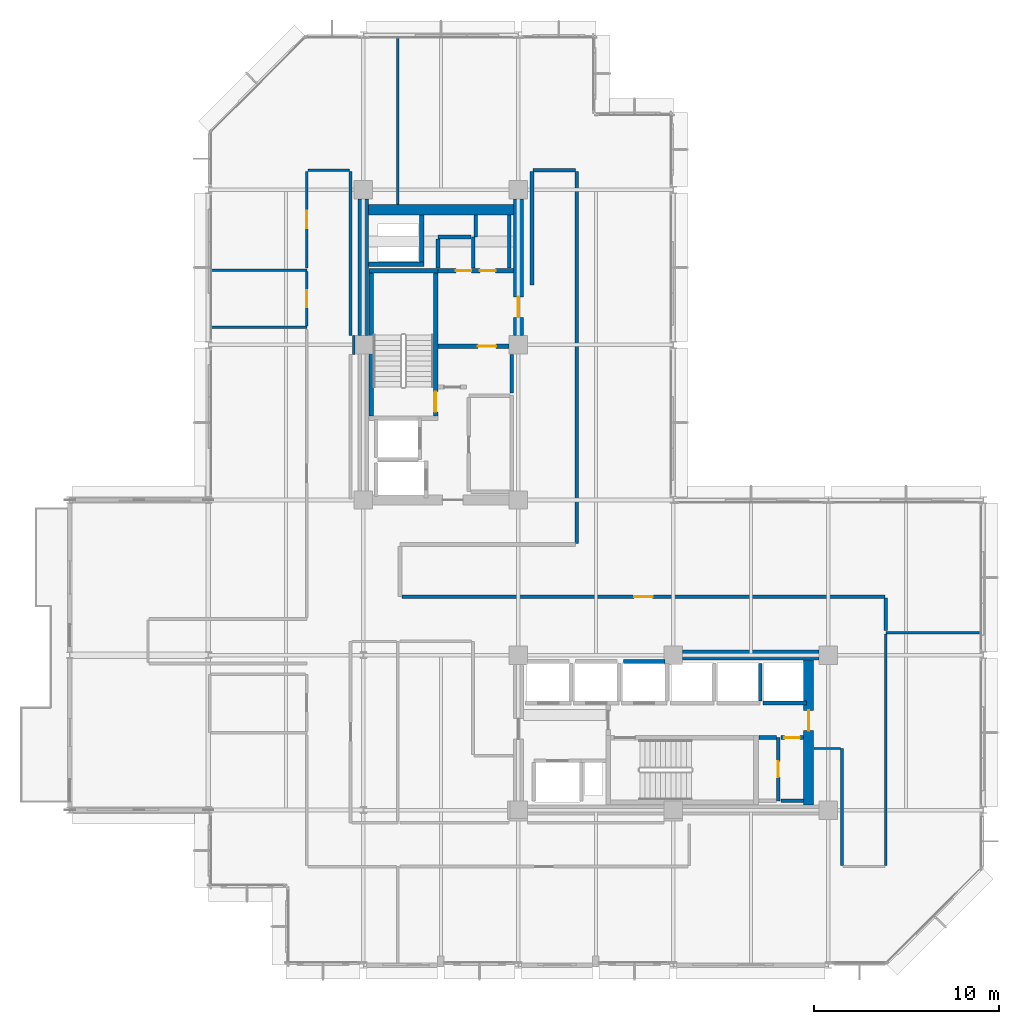
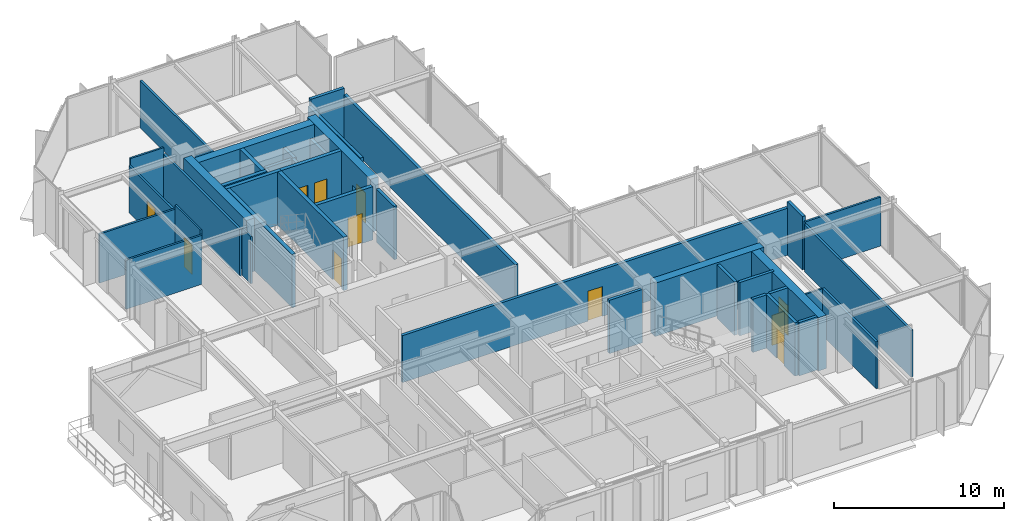
# One storey, part 26 of 30: 42 walls, 11 doors, 11 openings.
"""IFC4 building model written with IfcOpenShell, lengths in metres."""

from ifc_helpers import new_model, si_unit, direction, frame, frame_2d, origin, place, context, subcontext, project, spatial, rectangle, extrude, material, layer, layer_set, type_object, element, fill, save


model = new_model("IFC4")

# Units and contexts
model_context = context("Model", 3, precision=1e-05, world=origin(), true_north=direction((0.0, 1.0)))
body_context = subcontext(model_context, "Body", "Model", "MODEL_VIEW")
ifc_project = project(units=[si_unit("LENGTHUNIT", "METRE"), si_unit("AREAUNIT", "SQUARE_METRE"), si_unit("VOLUMEUNIT", "CUBIC_METRE"), si_unit("PLANEANGLEUNIT", "RADIAN"), si_unit("MASSUNIT", "GRAM", prefix="KILO")], contexts=[model_context])

# Site, building, storey
site_placement = place(None, origin())
site = spatial("IfcSite", under=ifc_project, at=site_placement, CompositionType="ELEMENT")
building_placement = place(site_placement, origin())
building = spatial("IfcBuilding", under=site, at=building_placement, Name="Nerrivon Quay Data Exchange", CompositionType="ELEMENT")
storey_placement = place(building_placement, frame((0.0, 0.0, 171.39990234375)))
storey = spatial("IfcBuildingStorey", under=building, at=storey_placement, Name="L40", CompositionType="ELEMENT", Elevation=171.39990234375)

# Walls
ifc_material_1 = material(Name="Concrete S65 (65 MPa)", Category="concrete")
ifc_layer_1 = layer(ifc_material_1, 0.550048828125)
ifc_layer_set_1 = layer_set([ifc_layer_1], Name="Concrete S65 (65 MPa)")
wall_type_1 = type_object("IfcWallType", Name="WALL-CW-700", PredefinedType="SHEAR", material=ifc_layer_set_1)
wall_1_placement = place(storey_placement, frame((8.39990234375, 34.10009765625, 0.0), z_axis=(0.0, 0.0, 1.0), x_axis=(0.0, 1.0, 0.0)))
element("IfcWall", 1, at=wall_1_placement, inside=storey, type_object=wall_type_1, Name="L40 West Split-Core Shear Wall WCW-W2", PredefinedType="SHEAR", context=body_context, shape_type="SweptSolid", body=[
    extrude(rectangle(XDim=7.39990234375, YDim=0.550048828125, at=frame_2d((3.699951171875, 0.0))), origin(), (0.0, 0.0, 1.0), 3.8251953125),
])
wall_2_placement = place(storey_placement, frame((8.675048828125, 40.925048828125, 0.0), z_axis=(0.0, 0.0, 1.0), x_axis=(1.0, 0.0, 0.0)))
element("IfcWall", 2, at=wall_2_placement, inside=storey, type_object=wall_type_1, Name="L40 West Split-Core Shear Wall WCW-N1", PredefinedType="SHEAR", context=body_context, shape_type="SweptSolid", body=[
    extrude(rectangle(XDim=7.849853515625, YDim=0.550048828125, at=frame_2d((3.9248046875, 0.0))), origin(), (0.0, 0.0, 1.0), 3.8251953125),
])

# Wall, opening, door
wall_3_placement = place(storey_placement, frame((16.800048828125, 34.10009765625, 0.0), z_axis=(0.0, 0.0, 1.0), x_axis=(0.0, 1.0, 0.0)))
wall_3 = element("IfcWall", 3, at=wall_3_placement, inside=storey, type_object=wall_type_1, Name="L40 West Split-Core Shear Wall WCW-E1", PredefinedType="SHEAR", context=body_context, shape_type="SweptSolid", body=[
    extrude(rectangle(XDim=7.39990234375, YDim=0.550048828125, at=frame_2d((3.699951171875, 0.0))), origin(), (0.0, 0.0, 1.0), 3.8251953125),
])
opening_1_placement = place(wall_3_placement, frame((1.0, 0.0, 0.0)))
opening_1 = element("IfcOpeningElement", 4, at=opening_1_placement, cuts=wall_3, Name="Opening FD-120", PredefinedType="OPENING", context=body_context, shape_type="SweptSolid", body=[
    extrude(rectangle(XDim=1.10009765625, YDim=2.14990234375, at=frame_2d((0.550048828125, 1.074951171875))), frame((0.0, 0.284912109375, 0.0), z_axis=(0.0, -1.0, 0.0), x_axis=(1.0, 0.0, 0.0)), (0.0, 0.0, 1.0), 0.570068359375),
])
ifc_material_2 = material(Name="Powder-coated galvanized steel sheet", Category="steel")
door_type_1 = type_object("IfcDoorType", Name="DR-FD120-1100", OperationType="NOTDEFINED", PredefinedType="DOOR", material=ifc_material_2)
door_1_placement = place(opening_1_placement, origin())
door_1 = element("IfcDoor", 5, at=door_1_placement, inside=storey, type_object=door_type_1, Name="L40 West Core Lobby Fire Door", OperationType="SINGLE_SWING_RIGHT", OverallHeight=2.14990234375, OverallWidth=1.10009765625, PredefinedType="DOOR", context=body_context, shape_type="SweptSolid", body=[
    extrude(rectangle(XDim=1.10009765625, YDim=2.14990234375, at=frame_2d((0.550048828125, 1.074951171875))), frame((0.0, 0.02490234375, 0.0), z_axis=(0.0, -1.0, 0.0), x_axis=(1.0, 0.0, 0.0)), (0.0, 0.0, 1.0), 0.050048828125),
])
fill(opening_1, door_1)

wall_4_placement = place(storey_placement, frame((32.52490234375, 8.675048828125, 0.0), z_axis=(0.0, 0.0, 1.0), x_axis=(0.0, 1.0, 0.0)))
wall_4 = element("IfcWall", 6, at=wall_4_placement, inside=storey, type_object=wall_type_1, Name="L40 East Split-Core Shear Wall ECW-E1", PredefinedType="SHEAR", context=body_context, shape_type="SweptSolid", body=[
    extrude(rectangle(XDim=7.849853515625, YDim=0.550048828125, at=frame_2d((3.9248046875, 0.0))), origin(), (0.0, 0.0, 1.0), 3.8251953125),
])
opening_2_placement = place(wall_4_placement, frame((4.02490234375, 0.0, 0.0)))
opening_2 = element("IfcOpeningElement", 7, at=opening_2_placement, cuts=wall_4, Name="Opening FD-120", PredefinedType="OPENING", context=body_context, shape_type="SweptSolid", body=[
    extrude(rectangle(XDim=1.10009765625, YDim=2.14990234375, at=frame_2d((0.550048828125, 1.074951171875))), frame((0.0, 0.284912109375, 0.0), z_axis=(0.0, -1.0, 0.0), x_axis=(1.0, 0.0, 0.0)), (0.0, 0.0, 1.0), 0.570068359375),
])
door_2_placement = place(opening_2_placement, origin())
door_2 = element("IfcDoor", 8, at=door_2_placement, inside=storey, type_object=door_type_1, Name="L40 East Core Lobby Fire Door", OperationType="SINGLE_SWING_RIGHT", OverallHeight=2.14990234375, OverallWidth=1.10009765625, PredefinedType="DOOR", context=body_context, shape_type="SweptSolid", body=[
    extrude(rectangle(XDim=1.10009765625, YDim=2.14990234375, at=frame_2d((0.550048828125, 1.074951171875))), frame((0.0, 0.02490234375, 0.0), z_axis=(0.0, -1.0, 0.0), x_axis=(1.0, 0.0, 0.0)), (0.0, 0.0, 1.0), 0.050048828125),
])
fill(opening_2, door_2)

# Walls
wall_5_placement = place(storey_placement, frame((25.699951171875, 16.800048828125, 0.0), z_axis=(0.0, 0.0, 1.0), x_axis=(1.0, 0.0, 0.0)))
element("IfcWall", 9, at=wall_5_placement, inside=storey, type_object=wall_type_1, Name="L40 East Split-Core Shear Wall ECW-N1", PredefinedType="SHEAR", context=body_context, shape_type="SweptSolid", body=[
    extrude(rectangle(XDim=7.400146484375, YDim=0.550048828125, at=frame_2d((3.7001953125, 0.0))), origin(), (0.0, 0.0, 1.0), 3.8251953125),
])
ifc_material_3 = material(Name="Gypsum plasterboard on cold-formed framing", Category="gypsum")
ifc_layer_2 = layer(ifc_material_3, 0.199951171875)
ifc_layer_set_2 = layer_set([ifc_layer_2], Name="Gypsum plasterboard on cold-formed framing")
wall_type_2 = type_object("IfcWallType", Name="WALL-FW-200", PredefinedType="PARTITIONING", material=ifc_layer_set_2)
wall_6_placement = place(storey_placement, frame((22.5, 16.449951171875, 0.0), z_axis=(0.0, 0.0, 1.0), x_axis=(1.0, 0.0, 0.0)))
element("IfcWall", 10, at=wall_6_placement, inside=storey, type_object=wall_type_2, Name="L40 Lift Shaft Wall PL6 NORTH", PredefinedType="PARTITIONING", context=body_context, shape_type="SweptSolid", body=[
    extrude(rectangle(XDim=2.25, YDim=0.199951171875, at=frame_2d((1.125, 0.0))), origin(), (0.0, 0.0, 1.0), 3.8251953125),
])
wall_7_placement = place(storey_placement, frame((29.89990234375, 14.300048828125, 0.0), z_axis=(0.0, 0.0, 1.0), x_axis=(0.0, 1.0, 0.0)))
element("IfcWall", 11, at=wall_7_placement, inside=storey, type_object=wall_type_2, Name="L40 Lift Shaft Wall PL8 EAST", PredefinedType="PARTITIONING", context=body_context, shape_type="SweptSolid", body=[
    extrude(rectangle(XDim=2.050048828125, YDim=0.199951171875, at=frame_2d((1.02490234375, 0.0))), origin(), (0.0, 0.0, 1.0), 3.8251953125),
])
wall_8_placement = place(storey_placement, frame((30.050048828125, 14.199951171875, 0.0), z_axis=(0.0, 0.0, 1.0), x_axis=(1.0, 0.0, 0.0)))
element("IfcWall", 12, at=wall_8_placement, inside=storey, type_object=wall_type_2, Name="L40 Lift Front Wall PL9", PredefinedType="PARTITIONING", context=body_context, shape_type="SweptSolid", body=[
    extrude(rectangle(XDim=2.349853515625, YDim=0.199951171875, at=frame_2d((1.1748046875, 0.0))), origin(), (0.0, 0.0, 1.0), 3.8251953125),
])
wall_9_placement = place(storey_placement, frame((16.449951171875, 31.0, 0.0), z_axis=(0.0, 0.0, 1.0), x_axis=(0.0, 1.0, 0.0)))
element("IfcWall", 13, at=wall_9_placement, inside=storey, type_object=wall_type_2, Name="L40 Partition Core Equipment Closet", PredefinedType="PARTITIONING", context=body_context, shape_type="SweptSolid", body=[
    extrude(rectangle(XDim=2.094970703125, YDim=0.199951171875, at=frame_2d((1.04736328125, 0.0))), origin(), (0.0, 0.0, 1.0), 3.8251953125),
])
wall_10_placement = place(storey_placement, frame((14.35009765625, 37.780029296875, 0.0), z_axis=(0.0, 0.0, 1.0), x_axis=(0.0, 1.0, 0.0)))
element("IfcWall", 14, at=wall_10_placement, inside=storey, type_object=wall_type_2, Name="L40 Partition Equipment Store", PredefinedType="PARTITIONING", context=body_context, shape_type="SweptSolid", body=[
    extrude(rectangle(XDim=1.669921875, YDim=0.199951171875, at=frame_2d((0.8349609375, 0.0))), origin(), (0.0, 0.0, 1.0), 2.875),
])
wall_11_placement = place(storey_placement, frame((14.24609375, 39.449951171875, 0.0), z_axis=(0.0, 0.0, 1.0), x_axis=(-1.0, 0.0, 0.0)))
element("IfcWall", 15, at=wall_11_placement, inside=storey, type_object=wall_type_2, Name="L40 Partition Equipment Store", PredefinedType="PARTITIONING", context=body_context, shape_type="SweptSolid", body=[
    extrude(rectangle(XDim=1.796142578125, YDim=0.199951171875, at=frame_2d((0.89794921875, 0.0))), origin(), (0.0, 0.0, 1.0), 2.875),
])
wall_12_placement = place(storey_placement, frame((12.449951171875, 39.345947265625, 0.0), z_axis=(0.0, 0.0, 1.0), x_axis=(0.0, -1.0, 0.0)))
element("IfcWall", 16, at=wall_12_placement, inside=storey, type_object=wall_type_2, Name="L40 Partition Equipment Store", PredefinedType="PARTITIONING", context=body_context, shape_type="SweptSolid", body=[
    extrude(rectangle(XDim=1.56591796875, YDim=0.199951171875, at=frame_2d((0.782958984375, 0.0))), origin(), (0.0, 0.0, 1.0), 2.875),
])
wall_13_placement = place(storey_placement, frame((16.300048828125, 37.780029296875, 0.0), z_axis=(0.0, 0.0, 1.0), x_axis=(0.0, 1.0, 0.0)))
element("IfcWall", 17, at=wall_13_placement, inside=storey, type_object=wall_type_2, Name="L40 Partition Cleaners Store", PredefinedType="PARTITIONING", context=body_context, shape_type="SweptSolid", body=[
    extrude(rectangle(XDim=2.865966796875, YDim=0.199951171875, at=frame_2d((1.43310546875, 0.0))), origin(), (0.0, 0.0, 1.0), 2.875),
])
wall_14_placement = place(storey_placement, frame((14.489990234375, 40.64599609375, 0.0), z_axis=(0.0, 0.0, 1.0), x_axis=(0.0, -1.0, 0.0)))
element("IfcWall", 18, at=wall_14_placement, inside=storey, type_object=wall_type_2, Name="L40 Partition Cleaners Store", PredefinedType="PARTITIONING", context=body_context, shape_type="SweptSolid", body=[
    extrude(rectangle(XDim=1.196044921875, YDim=0.199951171875, at=frame_2d((0.59814453125, 0.0))), origin(), (0.0, 0.0, 1.0), 2.875),
])

# Wall, opening, door
wall_15_placement = place(storey_placement, frame((30.8798828125, 8.89990234375, 0.0), z_axis=(0.0, 0.0, 1.0), x_axis=(0.0, 1.0, 0.0)))
wall_15 = element("IfcWall", 19, at=wall_15_placement, inside=storey, type_object=wall_type_2, Name="L40 Partition East Electrical Closet", PredefinedType="PARTITIONING", context=body_context, shape_type="SweptSolid", body=[
    extrude(rectangle(XDim=3.43017578125, YDim=0.199951171875, at=frame_2d((1.715087890625, 0.0))), origin(), (0.0, 0.0, 1.0), 3.8251953125),
])
opening_3_placement = place(wall_15_placement, frame((1.2900390625, 0.0, 0.0)))
opening_3 = element("IfcOpeningElement", 20, at=opening_3_placement, cuts=wall_15, Name="Opening FD-60S", PredefinedType="OPENING", context=body_context, shape_type="SweptSolid", body=[
    extrude(rectangle(XDim=0.85009765625, YDim=2.14990234375, at=frame_2d((0.425048828125, 1.074951171875))), frame((0.0, 0.10986328125, 0.0), z_axis=(0.0, -1.0, 0.0), x_axis=(1.0, 0.0, 0.0)), (0.0, 0.0, 1.0), 0.219970703125),
])
ifc_material_4 = material(Name="Engineered hardwood timber", Category="wood")
door_type_2 = type_object("IfcDoorType", Name="DR-FD60-850", OperationType="NOTDEFINED", PredefinedType="DOOR", material=ifc_material_4)
door_3_placement = place(opening_3_placement, origin())
door_3 = element("IfcDoor", 21, at=door_3_placement, inside=storey, type_object=door_type_2, Name="L40 Door East Electrical Closet", OperationType="SINGLE_SWING_RIGHT", OverallHeight=2.14990234375, OverallWidth=0.85009765625, PredefinedType="DOOR", context=body_context, shape_type="SweptSolid", body=[
    extrude(rectangle(XDim=0.85009765625, YDim=2.14990234375, at=frame_2d((0.425048828125, 1.074951171875))), frame((0.0, 0.02490234375, 0.0), z_axis=(0.0, -1.0, 0.0), x_axis=(1.0, 0.0, 0.0)), (0.0, 0.0, 1.0), 0.050048828125),
])
fill(opening_3, door_3)

# Wall
wall_16_placement = place(storey_placement, frame((30.77587890625, 12.330078125, 0.0), z_axis=(0.0, 0.0, 1.0), x_axis=(-1.0, 0.0, 0.0)))
element("IfcWall", 22, at=wall_16_placement, inside=storey, type_object=wall_type_2, Name="L40 Partition East Electrical Closet", PredefinedType="PARTITIONING", context=body_context, shape_type="SweptSolid", body=[
    extrude(rectangle(XDim=0.92578125, YDim=0.199951171875, at=frame_2d((0.462890625, 0.0))), origin(), (0.0, 0.0, 1.0), 3.8251953125),
])

# Wall, opening, door
wall_17_placement = place(storey_placement, frame((32.24609375, 12.330078125, 0.0), z_axis=(0.0, 0.0, 1.0), x_axis=(-1.0, 0.0, 0.0)))
wall_17 = element("IfcWall", 23, at=wall_17_placement, inside=storey, type_object=wall_type_2, Name="L40 Partition East Cleaners Store", PredefinedType="PARTITIONING", context=body_context, shape_type="SweptSolid", body=[
    extrude(rectangle(XDim=1.22607421875, YDim=0.199951171875, at=frame_2d((0.613037109375, 0.0))), origin(), (0.0, 0.0, 1.0), 3.8251953125),
])
opening_4_placement = place(wall_17_placement, frame((0.18798828125, 0.0, 0.0)))
opening_4 = element("IfcOpeningElement", 24, at=opening_4_placement, cuts=wall_17, Name="Opening FD-60S", PredefinedType="OPENING", context=body_context, shape_type="SweptSolid", body=[
    extrude(rectangle(XDim=0.85009765625, YDim=2.14990234375, at=frame_2d((0.425048828125, 1.074951171875))), frame((0.0, 0.10986328125, 0.0), z_axis=(0.0, -1.0, 0.0), x_axis=(1.0, 0.0, 0.0)), (0.0, 0.0, 1.0), 0.219970703125),
])
door_4_placement = place(opening_4_placement, origin())
door_4 = element("IfcDoor", 25, at=door_4_placement, inside=storey, type_object=door_type_2, Name="L40 Door East Cleaners Store", OperationType="SINGLE_SWING_LEFT", OverallHeight=2.14990234375, OverallWidth=0.85009765625, PredefinedType="DOOR", context=body_context, shape_type="SweptSolid", body=[
    extrude(rectangle(XDim=0.85009765625, YDim=2.14990234375, at=frame_2d((0.425048828125, 1.074951171875))), frame((0.0, 0.02490234375, 0.0), z_axis=(0.0, -1.0, 0.0), x_axis=(1.0, 0.0, 0.0)), (0.0, 0.0, 1.0), 0.050048828125),
])
fill(opening_4, door_4)

# Walls
wall_18_placement = place(storey_placement, frame((31.02001953125, 8.89990234375, 0.0), z_axis=(0.0, 0.0, 1.0), x_axis=(1.0, 0.0, 0.0)))
element("IfcWall", 26, at=wall_18_placement, inside=storey, type_object=wall_type_2, Name="L40 Partition East Cleaners Store", PredefinedType="PARTITIONING", context=body_context, shape_type="SweptSolid", body=[
    extrude(rectangle(XDim=1.22607421875, YDim=0.199951171875, at=frame_2d((0.613037109375, 0.0))), origin(), (0.0, 0.0, 1.0), 3.8251953125),
])
wall_19_placement = place(storey_placement, frame((36.7099609375, 19.89990234375, 0.0), z_axis=(0.0, 0.0, 1.0), x_axis=(0.0, -1.0, 0.0)))
element("IfcWall", 27, at=wall_19_placement, inside=storey, type_object=wall_type_2, Name="L40 Partition Colocation Data Workspace 1", PredefinedType="PARTITIONING", context=body_context, shape_type="SweptSolid", body=[
    extrude(rectangle(XDim=1.78076171875, YDim=0.199951171875, at=frame_2d((0.890380859375, 0.0))), origin(), (0.0, 0.0, 1.0), 3.8251953125),
])
wall_20_placement = place(storey_placement, frame((17.5400390625, 36.860107421875, 0.0), z_axis=(0.0, 0.0, 1.0), x_axis=(0.0, 1.0, 0.0)))
element("IfcWall", 28, at=wall_20_placement, inside=storey, type_object=wall_type_2, Name="L40 Partition Colocation Data Workspace 1", PredefinedType="PARTITIONING", context=body_context, shape_type="SweptSolid", body=[
    extrude(rectangle(XDim=6.139892578125, YDim=0.199951171875, at=frame_2d((3.06982421875, 0.0))), origin(), (0.0, 0.0, 1.0), 3.364990234375),
])
wall_21_placement = place(storey_placement, frame((17.60009765625, 43.06005859375, 0.0), z_axis=(0.0, 0.0, 1.0), x_axis=(1.0, 0.0, 0.0)))
element("IfcWall", 29, at=wall_21_placement, inside=storey, type_object=wall_type_2, Name="L40 Partition Colocation Data Workspace 1", PredefinedType="PARTITIONING", context=body_context, shape_type="SweptSolid", body=[
    extrude(rectangle(XDim=2.2998046875, YDim=0.199951171875, at=frame_2d((1.14990234375, 0.0))), origin(), (0.0, 0.0, 1.0), 3.8251953125),
])
wall_22_placement = place(storey_placement, frame((19.9599609375, 43.0, 0.0), z_axis=(0.0, 0.0, 1.0), x_axis=(0.0, -1.0, 0.0)))
element("IfcWall", 30, at=wall_22_placement, inside=storey, type_object=wall_type_2, Name="L40 Partition Colocation Data Workspace 1", PredefinedType="PARTITIONING", context=body_context, shape_type="SweptSolid", body=[
    extrude(rectangle(XDim=20.14990234375, YDim=0.199951171875, at=frame_2d((10.074951171875, 0.0))), origin(), (0.0, 0.0, 1.0), 3.364990234375),
])

# Wall, opening, door
wall_23_placement = place(storey_placement, frame((10.493896484375, 19.9599609375, 0.0), z_axis=(0.0, 0.0, 1.0), x_axis=(1.0, 0.0, 0.0)))
wall_23 = element("IfcWall", 31, at=wall_23_placement, inside=storey, type_object=wall_type_2, Name="L40 Partition Colocation Data Workspace 1", PredefinedType="PARTITIONING", context=body_context, shape_type="SweptSolid", body=[
    extrude(rectangle(XDim=26.156005859375, YDim=0.199951171875, at=frame_2d((13.078125, 0.0))), origin(), (0.0, 0.0, 1.0), 3.37109375),
])
opening_5_placement = place(wall_23_placement, frame((12.578125, 0.0, 0.0)))
opening_5 = element("IfcOpeningElement", 32, at=opening_5_placement, cuts=wall_23, Name="Opening FD-60", PredefinedType="OPENING", context=body_context, shape_type="SweptSolid", body=[
    extrude(rectangle(XDim=1.0, YDim=2.14990234375, at=frame_2d((0.5, 1.074951171875))), frame((0.0, 0.10986328125, 0.0), z_axis=(0.0, -1.0, 0.0), x_axis=(1.0, 0.0, 0.0)), (0.0, 0.0, 1.0), 0.219970703125),
])
door_type_3 = type_object("IfcDoorType", Name="DR-FD60-1000", OperationType="NOTDEFINED", PredefinedType="DOOR", material=ifc_material_4)
door_5_placement = place(opening_5_placement, origin())
door_5 = element("IfcDoor", 33, at=door_5_placement, inside=storey, type_object=door_type_3, Name="L40 Door Colocation Data Workspace 1", OperationType="SINGLE_SWING_RIGHT", OverallHeight=2.14990234375, OverallWidth=1.0, PredefinedType="DOOR", context=body_context, shape_type="SweptSolid", body=[
    extrude(rectangle(XDim=1.0, YDim=2.14990234375, at=frame_2d((0.5, 1.074951171875))), frame((0.0, 0.02490234375, 0.0), z_axis=(0.0, -1.0, 0.0), x_axis=(1.0, 0.0, 0.0)), (0.0, 0.0, 1.0), 0.050048828125),
])
fill(opening_5, door_5)

ifc_layer_3 = layer(ifc_material_3, 0.1201171875)
ifc_layer_set_3 = layer_set([ifc_layer_3], Name="Gypsum plasterboard on cold-formed framing")
wall_type_3 = type_object("IfcWallType", Name="WALL-PT-120", PredefinedType="PARTITIONING", material=ifc_layer_set_3)
wall_24_placement = place(storey_placement, frame((5.340087890625, 34.62158203125, 0.0), z_axis=(0.0, 0.0, 1.0), x_axis=(0.0, 1.0, 0.0)))
wall_24 = element("IfcWall", 34, at=wall_24_placement, inside=storey, type_object=wall_type_3, Name="L40 Partition Public Washrooms", PredefinedType="PARTITIONING", context=body_context, shape_type="SweptSolid", body=[
    extrude(rectangle(XDim=2.95703125, YDim=0.1201171875, at=frame_2d((1.478515625, 0.0))), origin(), (0.0, 0.0, 1.0), 3.8251953125),
])
opening_6_placement = place(wall_24_placement, frame((1.0185546875, 0.0, 0.0)))
opening_6 = element("IfcOpeningElement", 35, at=opening_6_placement, cuts=wall_24, Name="Opening D-WC", PredefinedType="OPENING", context=body_context, shape_type="SweptSolid", body=[
    extrude(rectangle(XDim=0.919921875, YDim=2.10009765625, at=frame_2d((0.4599609375, 1.050048828125))), frame((0.0, 0.070068359375, 0.0), z_axis=(0.0, -1.0, 0.0), x_axis=(1.0, 0.0, 0.0)), (0.0, 0.0, 1.0), 0.14013671875),
])
door_type_4 = type_object("IfcDoorType", Name="DR-WC-920", OperationType="NOTDEFINED", PredefinedType="DOOR", material=ifc_material_4)
door_6_placement = place(opening_6_placement, origin())
door_6 = element("IfcDoor", 36, at=door_6_placement, inside=storey, type_object=door_type_4, Name="L40 Door Public Washrooms", OperationType="SINGLE_SWING_LEFT", OverallHeight=2.10009765625, OverallWidth=0.919921875, PredefinedType="DOOR", context=body_context, shape_type="SweptSolid", body=[
    extrude(rectangle(XDim=0.919921875, YDim=2.10009765625, at=frame_2d((0.4599609375, 1.050048828125))), frame((0.0, 0.02490234375, 0.0), z_axis=(0.0, -1.0, 0.0), x_axis=(1.0, 0.0, 0.0)), (0.0, 0.0, 1.0), 0.050048828125),
])
fill(opening_6, door_6)

# Walls
wall_25_placement = place(storey_placement, frame((7.88037109375, 33.09619140625, 0.0), z_axis=(0.0, 0.0, 1.0), x_axis=(-0.000486381265, 0.999999881717, 0.0)))
element("IfcWall", 37, at=wall_25_placement, inside=storey, type_object=wall_type_3, Name="L40 Partition Network Security Control", PredefinedType="PARTITIONING", context=body_context, shape_type="SweptSolid", body=[
    extrude(rectangle(XDim=1.00390625, YDim=0.1201171875, at=frame_2d((0.501953125, 0.0))), origin(), (0.0, 0.0, 1.0), 3.364990234375),
])
wall_26_placement = place(storey_placement, frame((5.39990234375, 43.06005859375, 0.0), z_axis=(0.0, 0.0, 1.0), x_axis=(1.0, 0.0, 0.0)))
element("IfcWall", 38, at=wall_26_placement, inside=storey, type_object=wall_type_3, Name="L40 Partition Network Security Control", PredefinedType="PARTITIONING", context=body_context, shape_type="SweptSolid", body=[
    extrude(rectangle(XDim=2.25, YDim=0.1201171875, at=frame_2d((1.125, 0.0))), origin(), (0.0, 0.0, 1.0), 3.8251953125),
])
wall_27_placement = place(storey_placement, frame((34.260986328125, 11.739990234375, 0.0), z_axis=(0.0, 0.0, 1.0), x_axis=(-1.0, 0.0, 0.0)))
element("IfcWall", 39, at=wall_27_placement, inside=storey, type_object=wall_type_3, Name="L40 Partition Technical Library", PredefinedType="PARTITIONING", context=body_context, shape_type="SweptSolid", body=[
    extrude(rectangle(XDim=1.45703125, YDim=0.1201171875, at=frame_2d((0.728515625, 0.0))), origin(), (0.0, 0.0, 1.0), 3.37109375),
])
ifc_layer_4 = layer(ifc_material_3, 0.135009765625)
ifc_layer_set_4 = layer_set([ifc_layer_4], Name="Gypsum plasterboard on cold-formed framing")
wall_type_4 = type_object("IfcWallType", Name="WALL-PT-135", PredefinedType="PARTITIONING", material=ifc_layer_set_4)
for number, where, z_axis, x_axis, name in (
    (40, (5.340087890625, 37.64990234375, 0.0), (0.0, 0.0, 1.0), (-1.0, 0.0, 0.0), "L40 Partition Public Washrooms"),
    (41, (0.1689453125, 34.550048828125, 0.0), (0.0, 0.0, 1.0), (1.0, 0.0, 0.0), "L40 Partition Public Washrooms"),
):
    element("IfcWall", number, at=place(storey_placement, frame(where, z_axis=z_axis, x_axis=x_axis)), inside=storey, type_object=wall_type_4, Name=name, PredefinedType="PARTITIONING", context=body_context, shape_type="SweptSolid", body=[
        extrude(rectangle(XDim=5.171142578125, YDim=0.135009765625, at=frame_2d((2.58544921875, 0.0))), origin(), (0.0, 0.0, 1.0), 3.51806640625),
    ])

# Wall, opening, door
wall_28_placement = place(storey_placement, frame((5.340087890625, 37.77001953125, 0.0), z_axis=(0.0, 0.0, 1.0), x_axis=(0.0, 1.0, 0.0)))
wall_28 = element("IfcWall", 42, at=wall_28_placement, inside=storey, type_object=wall_type_4, Name="L40 Partition Network Security Control", PredefinedType="PARTITIONING", context=body_context, shape_type="SweptSolid", body=[
    extrude(rectangle(XDim=5.22998046875, YDim=0.135009765625, at=frame_2d((2.614990234375, 0.0))), origin(), (0.0, 0.0, 1.0), 3.364990234375),
])
opening_7_placement = place(wall_28_placement, frame((2.139892578125, 0.0, 0.0)))
opening_7 = element("IfcOpeningElement", 43, at=opening_7_placement, cuts=wall_28, Name="Opening D-01", PredefinedType="OPENING", context=body_context, shape_type="SweptSolid", body=[
    extrude(rectangle(XDim=0.949951171875, YDim=2.14990234375, at=frame_2d((0.47509765625, 1.074951171875))), frame((0.0, 0.077392578125, 0.0), z_axis=(0.0, -1.0, 0.0), x_axis=(1.0, 0.0, 0.0)), (0.0, 0.0, 1.0), 0.155029296875),
])
door_type_5 = type_object("IfcDoorType", Name="DR-INT-950", OperationType="NOTDEFINED", PredefinedType="DOOR", material=ifc_material_4)
door_7_placement = place(opening_7_placement, origin())
door_7 = element("IfcDoor", 44, at=door_7_placement, inside=storey, type_object=door_type_5, Name="L40 Door Network Security Control", OperationType="SINGLE_SWING_LEFT", OverallHeight=2.14990234375, OverallWidth=0.949951171875, PredefinedType="DOOR", context=body_context, shape_type="SweptSolid", body=[
    extrude(rectangle(XDim=0.949951171875, YDim=2.14990234375, at=frame_2d((0.47509765625, 1.074951171875))), frame((0.0, 0.02490234375, 0.0), z_axis=(0.0, -1.0, 0.0), x_axis=(1.0, 0.0, 0.0)), (0.0, 0.0, 1.0), 0.050048828125),
])
fill(opening_7, door_7)

# Walls
wall_29_placement = place(storey_placement, frame((41.8310546875, 17.999267578125, 0.0), z_axis=(0.0, 0.0, 1.0), x_axis=(-1.0, 0.0, 0.0)))
element("IfcWall", 45, at=wall_29_placement, inside=storey, type_object=wall_type_4, Name="L40 Partition Technical Library", PredefinedType="PARTITIONING", context=body_context, shape_type="SweptSolid", body=[
    extrude(rectangle(XDim=5.12109375, YDim=0.135009765625, at=frame_2d((2.560546875, 0.0))), origin(), (0.0, 0.0, 1.0), 3.51806640625),
])
ifc_layer_5 = layer(ifc_material_3, 0.14990234375)
ifc_layer_set_5 = layer_set([ifc_layer_5], Name="Gypsum plasterboard on cold-formed framing")
wall_type_5 = type_object("IfcWallType", Name="WALL-PT-150", PredefinedType="PARTITIONING", material=ifc_layer_set_5)
wall_30_placement = place(storey_placement, frame((10.269775390625, 41.2041015625, 0.0), z_axis=(0.0, 0.0, 1.0), x_axis=(0.0, 1.0, 0.0)))
element("IfcWall", 46, at=wall_30_placement, inside=storey, type_object=wall_type_5, Name="L40 Partition Network Security Control", PredefinedType="PARTITIONING", context=body_context, shape_type="SweptSolid", body=[
    extrude(rectangle(XDim=9.02685546875, YDim=0.14990234375, at=frame_2d((4.513427734375, 0.0))), origin(), (0.0, 0.0, 1.0), 3.364990234375),
])
wall_31_placement = place(storey_placement, frame((7.7099609375, 43.0, 0.0), z_axis=(0.0, 0.0, 1.0), x_axis=(0.0, -1.0, 0.0)))
element("IfcWall", 47, at=wall_31_placement, inside=storey, type_object=wall_type_5, Name="L40 Partition Network Security Control", PredefinedType="PARTITIONING", context=body_context, shape_type="SweptSolid", body=[
    extrude(rectangle(XDim=8.900146484375, YDim=0.14990234375, at=frame_2d((4.4501953125, 0.0))), origin(), (0.0, 0.0, 1.0), 3.364990234375),
])
wall_32_placement = place(storey_placement, frame((36.7099609375, 17.927734375, 0.0), z_axis=(0.0, 0.0, 1.0), x_axis=(0.0, -1.0, 0.0)))
element("IfcWall", 48, at=wall_32_placement, inside=storey, type_object=wall_type_5, Name="L40 Partition Technical Library", PredefinedType="PARTITIONING", context=body_context, shape_type="SweptSolid", body=[
    extrude(rectangle(XDim=12.52783203125, YDim=0.14990234375, at=frame_2d((6.263916015625, 0.0))), origin(), (0.0, 0.0, 1.0), 3.364990234375),
])
wall_33_placement = place(storey_placement, frame((34.340087890625, 5.39990234375, 0.0), z_axis=(0.0, 0.0, 1.0), x_axis=(0.0, 1.0, 0.0)))
element("IfcWall", 49, at=wall_33_placement, inside=storey, type_object=wall_type_5, Name="L40 Partition Technical Library", PredefinedType="PARTITIONING", context=body_context, shape_type="SweptSolid", body=[
    extrude(rectangle(XDim=6.340087890625, YDim=0.14990234375, at=frame_2d((3.169921875, 0.0))), origin(), (0.0, 0.0, 1.0), 3.364990234375),
])
ifc_material_5 = material(Name="Concrete N50 (50 MPa)", Category="concrete")
ifc_layer_6 = layer(ifc_material_5, 0.25)
ifc_layer_set_6 = layer_set([ifc_layer_6], Name="Concrete N50 (50 MPa)")
wall_type_6 = type_object("IfcWallType", Name="WALL-SW-250", PredefinedType="SHEAR", material=ifc_layer_set_6)
wall_34_placement = place(storey_placement, frame((12.449951171875, 37.625, 0.0), z_axis=(0.0, 0.0, 1.0), x_axis=(-1.0, 0.0, 0.0)))
element("IfcWall", 50, at=wall_34_placement, inside=storey, type_object=wall_type_6, Name="L40 ST01 Structural Stair Core Wall FAR", PredefinedType="SHEAR", context=body_context, shape_type="SweptSolid", body=[
    extrude(rectangle(XDim=3.75, YDim=0.25, at=frame_2d((1.875, 0.0))), origin(), (0.0, 0.0, 1.0), 3.8251953125),
])

# Wall, opening, door
wall_35_placement = place(storey_placement, frame((12.324951171875, 29.75, 0.0), z_axis=(0.0, 0.0, 1.0), x_axis=(0.0, 1.0, 0.0)))
wall_35 = element("IfcWall", 51, at=wall_35_placement, inside=storey, type_object=wall_type_6, Name="L40 ST01 Structural Stair Core Wall LEFT", PredefinedType="SHEAR", context=body_context, shape_type="SweptSolid", body=[
    extrude(rectangle(XDim=7.75, YDim=0.25, at=frame_2d((3.875, 0.0))), origin(), (0.0, 0.0, 1.0), 3.8251953125),
])
opening_8_placement = place(wall_35_placement, frame((0.219970703125, 0.0, 0.0)))
opening_8 = element("IfcOpeningElement", 52, at=opening_8_placement, cuts=wall_35, Name="Opening FD-120", PredefinedType="OPENING", context=body_context, shape_type="SweptSolid", body=[
    extrude(rectangle(XDim=1.10009765625, YDim=2.14990234375, at=frame_2d((0.550048828125, 1.074951171875))), frame((0.0, 0.135009765625, 0.0), z_axis=(0.0, -1.0, 0.0), x_axis=(1.0, 0.0, 0.0)), (0.0, 0.0, 1.0), 0.27001953125),
])
door_8_placement = place(opening_8_placement, origin())
door_8 = element("IfcDoor", 53, at=door_8_placement, inside=storey, type_object=door_type_1, Name="L40 Protected Stair Door ST01", OperationType="SINGLE_SWING_RIGHT", OverallHeight=2.14990234375, OverallWidth=1.10009765625, PredefinedType="DOOR", context=body_context, shape_type="SweptSolid", body=[
    extrude(rectangle(XDim=1.10009765625, YDim=2.14990234375, at=frame_2d((0.550048828125, 1.074951171875))), frame((0.0, 0.02490234375, 0.0), z_axis=(0.0, -1.0, 0.0), x_axis=(1.0, 0.0, 0.0)), (0.0, 0.0, 1.0), 0.050048828125),
])
fill(opening_8, door_8)

# Walls
wall_36_placement = place(storey_placement, frame((8.824951171875, 29.75, 0.0), z_axis=(0.0, 0.0, 1.0), x_axis=(0.0, 1.0, 0.0)))
element("IfcWall", 54, at=wall_36_placement, inside=storey, type_object=wall_type_6, Name="L40 ST01 Structural Stair Core Wall RIGHT", PredefinedType="SHEAR", context=body_context, shape_type="SweptSolid", body=[
    extrude(rectangle(XDim=7.75, YDim=0.25, at=frame_2d((3.875, 0.0))), origin(), (0.0, 0.0, 1.0), 3.8251953125),
])
wall_37_placement = place(storey_placement, frame((8.675048828125, 37.97509765625, 0.0), z_axis=(0.0, 0.0, 1.0), x_axis=(1.0, 0.0, 0.0)))
element("IfcWall", 55, at=wall_37_placement, inside=storey, type_object=wall_type_6, Name="L40 West Core MEP Riser Shaft Wall S", PredefinedType="SHEAR", context=body_context, shape_type="SweptSolid", body=[
    extrude(rectangle(XDim=3.02490234375, YDim=0.25, at=frame_2d((1.512451171875, 0.0))), origin(), (0.0, 0.0, 1.0), 3.8251953125),
])
wall_38_placement = place(storey_placement, frame((11.574951171875, 38.10009765625, 0.0), z_axis=(0.0, 0.0, 1.0), x_axis=(0.0, 1.0, 0.0)))
element("IfcWall", 56, at=wall_38_placement, inside=storey, type_object=wall_type_6, Name="L40 West Core MEP Riser Shaft Wall E", PredefinedType="SHEAR", context=body_context, shape_type="SweptSolid", body=[
    extrude(rectangle(XDim=2.5498046875, YDim=0.25, at=frame_2d((1.27490234375, 0.0))), origin(), (0.0, 0.0, 1.0), 3.8251953125),
])

# Wall, opening, door
wall_39_placement = place(storey_placement, frame((12.449951171875, 33.52001953125, 0.0), z_axis=(0.0, 0.0, 1.0), x_axis=(1.0, 0.0, 0.0)))
wall_39 = element("IfcWall", 57, at=wall_39_placement, inside=storey, type_object=wall_type_6, Name="L40 West Lobby Smoke-Stop Wall", PredefinedType="SHEAR", context=body_context, shape_type="SweptSolid", body=[
    extrude(rectangle(XDim=3.85009765625, YDim=0.25, at=frame_2d((1.925048828125, 0.0))), origin(), (0.0, 0.0, 1.0), 3.8251953125),
])
opening_9_placement = place(wall_39_placement, frame((2.14990234375, 0.0, 0.0)))
opening_9 = element("IfcOpeningElement", 58, at=opening_9_placement, cuts=wall_39, Name="Opening FD-60", PredefinedType="OPENING", context=body_context, shape_type="SweptSolid", body=[
    extrude(rectangle(XDim=1.0, YDim=2.14990234375, at=frame_2d((0.5, 1.074951171875))), frame((0.0, 0.135009765625, 0.0), z_axis=(0.0, -1.0, 0.0), x_axis=(1.0, 0.0, 0.0)), (0.0, 0.0, 1.0), 0.27001953125),
])
door_9_placement = place(opening_9_placement, origin())
door_9 = element("IfcDoor", 59, at=door_9_placement, inside=storey, type_object=door_type_3, Name="L40 West Firefighting Lobby Fire Door", OperationType="SINGLE_SWING_RIGHT", OverallHeight=2.14990234375, OverallWidth=1.0, PredefinedType="DOOR", context=body_context, shape_type="SweptSolid", body=[
    extrude(rectangle(XDim=1.0, YDim=2.14990234375, at=frame_2d((0.5, 1.074951171875))), frame((0.0, 0.02490234375, 0.0), z_axis=(0.0, -1.0, 0.0), x_axis=(1.0, 0.0, 0.0)), (0.0, 0.0, 1.0), 0.050048828125),
])
fill(opening_9, door_9)

# Wall, openings, doors
wall_40_placement = place(storey_placement, frame((12.449951171875, 37.625, 0.0), z_axis=(0.0, 0.0, 1.0), x_axis=(1.0, 0.0, 0.0)))
wall_40 = element("IfcWall", 60, at=wall_40_placement, inside=storey, type_object=wall_type_6, Name="L40 West Firefighting Lobby Wall", PredefinedType="SHEAR", context=body_context, shape_type="SweptSolid", body=[
    extrude(rectangle(XDim=4.074951171875, YDim=0.25, at=frame_2d((2.03759765625, 0.0))), origin(), (0.0, 0.0, 1.0), 3.8251953125),
])
opening_10_placement = place(wall_40_placement, frame((0.96044921875, 0.0, 0.0)))
opening_10 = element("IfcOpeningElement", 61, at=opening_10_placement, cuts=wall_40, Name="Opening FD-60S", PredefinedType="OPENING", context=body_context, shape_type="SweptSolid", body=[
    extrude(rectangle(XDim=0.85009765625, YDim=2.14990234375, at=frame_2d((0.425048828125, 1.074951171875))), frame((0.0, 0.135009765625, 0.0), z_axis=(0.0, -1.0, 0.0), x_axis=(1.0, 0.0, 0.0)), (0.0, 0.0, 1.0), 0.27001953125),
])
opening_11_placement = place(wall_40_placement, frame((2.264404296875, 0.0, 0.0)))
opening_11 = element("IfcOpeningElement", 62, at=opening_11_placement, cuts=wall_40, Name="Opening FD-60S", PredefinedType="OPENING", context=body_context, shape_type="SweptSolid", body=[
    extrude(rectangle(XDim=0.85009765625, YDim=2.14990234375, at=frame_2d((0.425048828125, 1.074951171875))), frame((0.0, 0.135009765625, 0.0), z_axis=(0.0, -1.0, 0.0), x_axis=(1.0, 0.0, 0.0)), (0.0, 0.0, 1.0), 0.27001953125),
])
door_10_placement = place(opening_10_placement, origin())
door_10 = element("IfcDoor", 63, at=door_10_placement, inside=storey, type_object=door_type_2, Name="L40 Door Equipment Store", OperationType="SINGLE_SWING_RIGHT", OverallHeight=2.14990234375, OverallWidth=0.85009765625, PredefinedType="DOOR", context=body_context, shape_type="SweptSolid", body=[
    extrude(rectangle(XDim=0.85009765625, YDim=2.14990234375, at=frame_2d((0.425048828125, 1.074951171875))), frame((0.0, 0.02490234375, 0.0), z_axis=(0.0, -1.0, 0.0), x_axis=(1.0, 0.0, 0.0)), (0.0, 0.0, 1.0), 0.050048828125),
])
fill(opening_10, door_10)
door_11_placement = place(opening_11_placement, origin())
door_11 = element("IfcDoor", 64, at=door_11_placement, inside=storey, type_object=door_type_2, Name="L40 Door Cleaners Store", OperationType="SINGLE_SWING_LEFT", OverallHeight=2.14990234375, OverallWidth=0.85009765625, PredefinedType="DOOR", context=body_context, shape_type="SweptSolid", body=[
    extrude(rectangle(XDim=0.85009765625, YDim=2.14990234375, at=frame_2d((0.425048828125, 1.074951171875))), frame((0.0, 0.02490234375, 0.0), z_axis=(0.0, -1.0, 0.0), x_axis=(1.0, 0.0, 0.0)), (0.0, 0.0, 1.0), 0.050048828125),
])
fill(opening_11, door_11)

save(model, "model.ifc")
